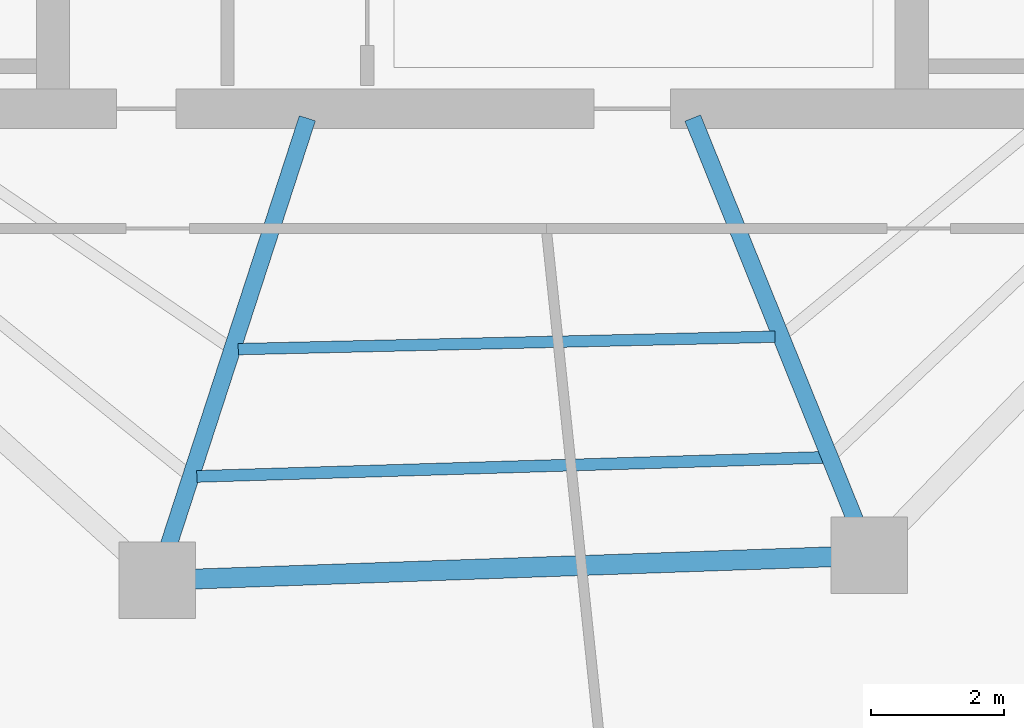
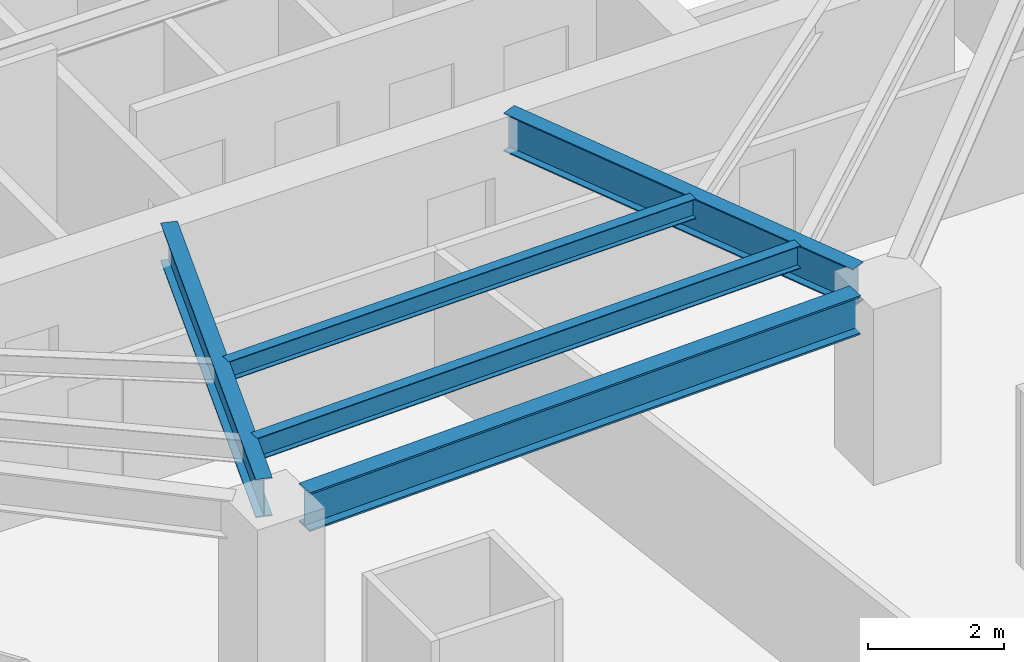
# One storey, part 5 of 30: 5 beams.
"""IFC4 building model written with IfcOpenShell, lengths in metres."""

from ifc_helpers import new_model, si_unit, direction, frame, origin, origin_2d, place, context, subcontext, project, spatial, i_section, extrude, material, material_profile, profile_set, type_object, element, save


model = new_model("IFC4")

# Units and contexts
model_context = context("Model", 3, precision=1e-05, world=origin(), true_north=direction((0.0, 1.0)))
body_context = subcontext(model_context, "Body", "Model", "MODEL_VIEW")
ifc_project = project(units=[si_unit("LENGTHUNIT", "METRE"), si_unit("AREAUNIT", "SQUARE_METRE"), si_unit("VOLUMEUNIT", "CUBIC_METRE"), si_unit("PLANEANGLEUNIT", "RADIAN"), si_unit("MASSUNIT", "GRAM", prefix="KILO")], contexts=[model_context])

# Site, building, storey
site_placement = place(None, origin())
site = spatial("IfcSite", under=ifc_project, at=site_placement, CompositionType="ELEMENT")
building_placement = place(site_placement, origin())
building = spatial("IfcBuilding", under=site, at=building_placement, Name="Qarnah Convention Tower", CompositionType="ELEMENT")
storey_placement = place(building_placement, frame((0.0, 0.0, 79.800048828125)))
storey = spatial("IfcBuildingStorey", under=building, at=storey_placement, Name="L20", CompositionType="ELEMENT", Elevation=79.800048828125)

# Beams
ifc_material = material(Name="Structural steel S355JR", Category="steel")
ifc_material_profile_1 = material_profile(ifc_material, i_section(OverallWidth=0.172119140625, OverallDepth=0.35595703125, WebThickness=0.007080078125, FlangeThickness=0.011962890625, at=origin_2d()), Name="W360X51")
ifc_profile_set_1 = profile_set([ifc_material_profile_1], Name="Structural steel S355JR")
beam_type_1 = type_object("IfcBeamType", Name="BM-JST-W360", PredefinedType="JOIST", material=ifc_profile_set_1)
beam_1_placement = place(storey_placement, frame((33.58203125, 14.989013671875, 2.991943359375), z_axis=(0.999731131199, 0.02318761117, 0.0), x_axis=(-0.02318761117, 0.999731131199, 0.0)))
element("IfcBeam", 1, at=beam_1_placement, inside=storey, type_object=beam_type_1, Name="L20 joist BM-L20-IJST-07", PredefinedType="JOIST", context=body_context, shape_type="SweptSolid", body=[
    extrude(i_section(OverallWidth=0.172119140625, OverallDepth=0.35595703125, WebThickness=0.007080078125, FlangeThickness=0.011962890625, at=origin_2d()), origin(), (0.0, 0.0, 1.0), 8.065185546875),
])
ifc_material_profile_2 = material_profile(ifc_material, i_section(OverallWidth=0.177978515625, OverallDepth=0.407958984375, WebThickness=0.008056640625, FlangeThickness=0.012939453125, at=origin_2d()), Name="W410X60")
ifc_profile_set_2 = profile_set([ifc_material_profile_2], Name="Structural steel S355JR")
beam_type_2 = type_object("IfcBeamType", Name="BM-JST-W410", PredefinedType="JOIST", material=ifc_profile_set_2)
beam_2_placement = place(storey_placement, frame((32.9599609375, 13.076904296875, 2.966064453125), z_axis=(0.999538703327, 0.030370718664, 0.0), x_axis=(-0.030370718664, 0.999538703327, 0.0)))
element("IfcBeam", 2, at=beam_2_placement, inside=storey, type_object=beam_type_2, Name="L20 joist BM-L20-SJST-07", PredefinedType="JOIST", context=body_context, shape_type="SweptSolid", body=[
    extrude(i_section(OverallWidth=0.177978515625, OverallDepth=0.407958984375, WebThickness=0.008056640625, FlangeThickness=0.012939453125, at=origin_2d()), origin(), (0.0, 0.0, 1.0), 9.42138671875),
])
ifc_material_profile_3 = material_profile(ifc_material, i_section(OverallWidth=0.25390625, OverallDepth=0.68798828125, WebThickness=0.012939453125, FlangeThickness=0.02099609375, at=origin_2d()), Name="W690X152")
ifc_profile_set_3 = profile_set([ifc_material_profile_3], Name="Structural steel S355JR")
beam_type_3 = type_object("IfcBeamType", Name="BM-RAD-W690", PredefinedType="BEAM", material=ifc_profile_set_3)
beam_3_placement = place(storey_placement, frame((34.6201171875, 18.45703125, 2.825927734375), z_axis=(-0.30908279771, -0.951035132979, 0.0), x_axis=(0.951035132979, -0.30908279771, 0.0)))
element("IfcBeam", 3, at=beam_3_placement, inside=storey, type_object=beam_type_3, Name="L20 beam BM-L20-RAD-07", PredefinedType="BEAM", context=body_context, shape_type="SweptSolid", body=[
    extrude(i_section(OverallWidth=0.25390625, OverallDepth=0.68798828125, WebThickness=0.012939453125, FlangeThickness=0.02099609375, at=origin_2d()), origin(), (0.0, 0.0, 1.0), 6.7431640625),
])
beam_4_placement = place(storey_placement, frame((40.407958984375, 18.4609375, 2.825927734375), z_axis=(0.374642886347, -0.927169190445, 0.0), x_axis=(0.927169190445, 0.374642886347, 0.0)))
element("IfcBeam", 4, at=beam_4_placement, inside=storey, type_object=beam_type_3, Name="L20 beam BM-L20-RAD-08", PredefinedType="BEAM", context=body_context, shape_type="SweptSolid", body=[
    extrude(i_section(OverallWidth=0.25390625, OverallDepth=0.68798828125, WebThickness=0.012939453125, FlangeThickness=0.02099609375, at=origin_2d()), origin(), (0.0, 0.0, 1.0), 6.531494140625),
])
ifc_material_profile_4 = material_profile(ifc_material, i_section(OverallWidth=0.300048828125, OverallDepth=0.699951171875, WebThickness=0.01708984375, FlangeThickness=0.031982421875, at=origin_2d()), Name="HEB700")
ifc_profile_set_4 = profile_set([ifc_material_profile_4], Name="Structural steel S355JR")
beam_type_4 = type_object("IfcBeamType", Name="BM-RING-HEB700", PredefinedType="BEAM", material=ifc_profile_set_4)
beam_5_placement = place(storey_placement, frame((32.928955078125, 11.535888671875, 2.820068359375), z_axis=(0.999390577592, 0.03490663862, 0.0), x_axis=(-0.03490663862, 0.999390577592, 0.0)))
element("IfcBeam", 5, at=beam_5_placement, inside=storey, type_object=beam_type_4, Name="L20 beam BM-L20-SPN-07", PredefinedType="BEAM", context=body_context, shape_type="SweptSolid", body=[
    extrude(i_section(OverallWidth=0.300048828125, OverallDepth=0.699951171875, WebThickness=0.01708984375, FlangeThickness=0.031982421875, at=origin_2d()), origin(), (0.0, 0.0, 1.0), 9.574951171875),
])

save(model, "model.ifc")
